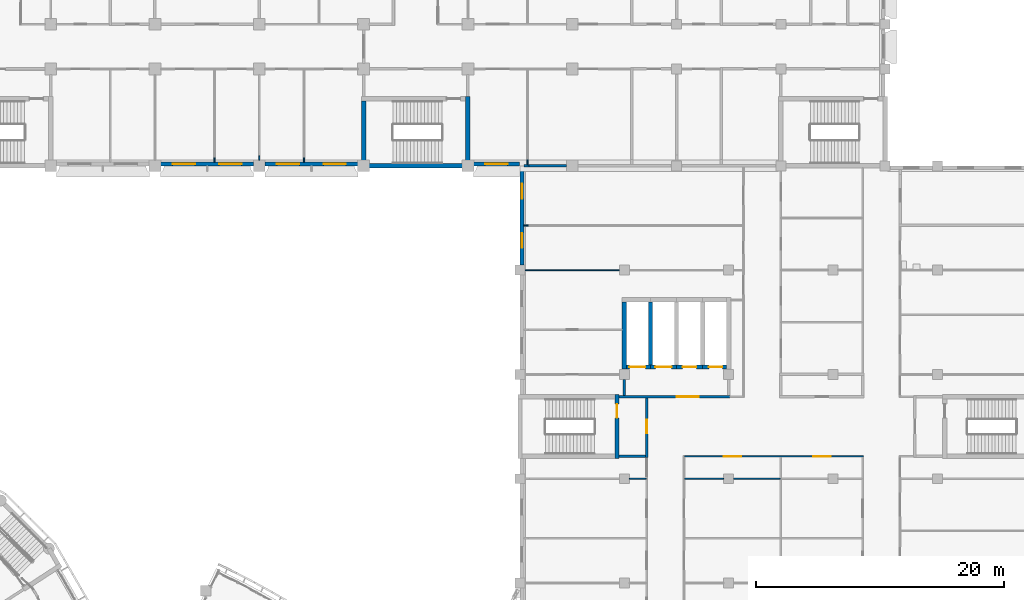
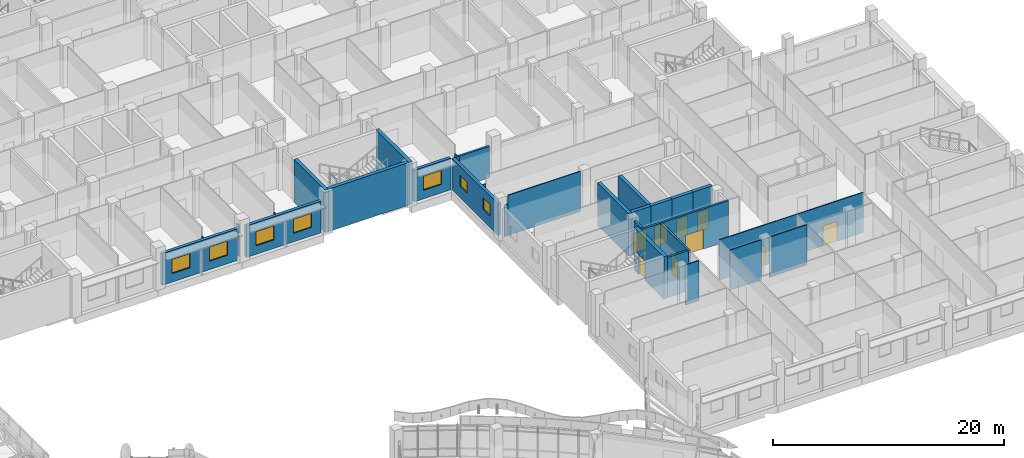
# One storey, part 83 of 136: 31 walls, 9 doors, 7 windows, 16 openings.
"""IFC4 building model written with IfcOpenShell, lengths in metres."""

import ifcopenshell
import ifcopenshell.guid

model = None  # the IFC model being written
_history = None  # IfcOwnerHistory: only IFC2X3 demands one
_inside = {}  # id of a spatial element -> (the spatial element, [elements in it])
_under = {}  # id of a project, library or spatial element -> (it, [spatial elements below it])
_declared = {}  # id of a project -> (the project, [libraries it declares])
_typed = {}  # id of a type object -> (the type object, [elements of that type])
_made_of = {}  # id of a material, layer set ... -> (it, [elements and type objects made of it])


def new_model(schema):
    """Start an empty IFC model of exactly this schema.

    Asked for "IFC4X3", IfcOpenShell would pick the latest addendum, in which some entities
    have other attributes; the version numbers below select the first issue.
    IFC2X3 requires an IfcOwnerHistory on every rooted entity: one is made here for all.
    """
    global model, _history
    if schema == "IFC4X3":
        model = ifcopenshell.file(schema_version=(4, 3, 0, 0))
    else:
        model = ifcopenshell.file(schema=schema)
    _inside.clear()
    _under.clear()
    _declared.clear()
    _typed.clear()
    _made_of.clear()
    _history = None
    if model.schema == "IFC2X3":
        org = make("IfcOrganization", Name="unknown")
        user = make(
            "IfcPersonAndOrganization",
            ThePerson=make("IfcPerson", FamilyName="unknown"),
            TheOrganization=org,
        )
        app = make(
            "IfcApplication",
            ApplicationDeveloper=org,
            Version="unknown",
            ApplicationFullName="unknown",
            ApplicationIdentifier="unknown",
        )
        _history = make(
            "IfcOwnerHistory",
            OwningUser=user,
            OwningApplication=app,
            ChangeAction="ADDED",
            CreationDate=0,
        )
    return model


def make(cls, **values):
    """One entity of the class cls with the attributes given. An attribute that is None is left unset."""
    return model.create_entity(
        cls, **{name: value for name, value in values.items() if value is not None}
    )


def rooted(cls, **values):
    """An entity with a GlobalId (a new one), such as an element, a storey or a relation."""
    return make(cls, GlobalId=ifcopenshell.guid.new(), OwnerHistory=_history, **values)


def si_unit(unit_type, name, prefix=None):
    """IfcSIUnit, for example si_unit("LENGTHUNIT", "METRE", prefix="MILLI")."""
    return make("IfcSIUnit", UnitType=unit_type, Prefix=prefix, Name=name)


def assignment(units):
    """IfcUnitAssignment: the units of a project."""
    return None if units is None else make("IfcUnitAssignment", Units=units)


def point(xyz):
    """IfcCartesianPoint."""
    return None if xyz is None else make("IfcCartesianPoint", Coordinates=xyz)


def direction(xyz):
    """IfcDirection."""
    return None if xyz is None else make("IfcDirection", DirectionRatios=xyz)


def frame(location, z_axis=None, x_axis=None):
    """IfcAxis2Placement3D, a coordinate frame: its origin and axes. An axis left out is left unset."""
    return make(
        "IfcAxis2Placement3D",
        Location=point(location),
        Axis=direction(z_axis),
        RefDirection=direction(x_axis),
    )


def frame_2d(location, x_axis=None):
    """IfcAxis2Placement2D, a coordinate frame in the plane: its origin and x axis."""
    return make(
        "IfcAxis2Placement2D", Location=point(location), RefDirection=direction(x_axis)
    )


def origin():
    """The frame at (0, 0, 0) with its axes left unset."""
    return frame((0.0, 0.0, 0.0))


def place(relative_to, where):
    """IfcLocalPlacement: puts the frame where relative to a parent placement (None: the world)."""
    return make(
        "IfcLocalPlacement", PlacementRelTo=relative_to, RelativePlacement=where
    )


def context(
    kind, dimensions, precision=None, world=None, true_north=None, identifier=None
):
    """IfcGeometricRepresentationContext, for example the 3D "Model" context."""
    return make(
        "IfcGeometricRepresentationContext",
        ContextIdentifier=identifier,
        ContextType=kind,
        CoordinateSpaceDimension=dimensions,
        Precision=precision,
        WorldCoordinateSystem=world,
        TrueNorth=true_north,
    )


def subcontext(parent, identifier, kind, view, scale=None):
    """IfcGeometricRepresentationSubContext, for example "Body" below "Model"."""
    return make(
        "IfcGeometricRepresentationSubContext",
        ContextIdentifier=identifier,
        ContextType=kind,
        ParentContext=parent,
        TargetScale=scale,
        TargetView=view,
    )


def project(units=None, contexts=None):
    """IfcProject with its units and contexts."""
    return rooted(
        "IfcProject",
        Name="project",
        RepresentationContexts=contexts,
        UnitsInContext=assignment(units),
    )


def spatial(cls, under=None, at=None, **own):
    """A site, building, storey or space (cls), placed at a placement, below another one or the project."""
    s = rooted(cls, ObjectPlacement=at, **own)
    if under is not None:
        _under.setdefault(under.id(), (under, []))[1].append(s)
    return s


def profile(cls, at=None, kind="AREA", **sizes):
    """A parametric profile (cls). Its sizes go by their IFC names, for example OverallWidth=200.0."""
    return make(cls, ProfileType=kind, Position=at, **sizes)


def rectangle(**sizes):
    """IfcRectangleProfileDef."""
    return profile("IfcRectangleProfileDef", **sizes)


def extrude(swept, where, along, depth):
    """IfcExtrudedAreaSolid: the profile swept, set in the frame where, extruded along a direction by depth."""
    return make(
        "IfcExtrudedAreaSolid",
        SweptArea=swept,
        Position=where,
        ExtrudedDirection=direction(along),
        Depth=depth,
    )


def shape(context_of_items, identifier, shape_type, items):
    """IfcShapeRepresentation: the items that make up one representation, for example the "Body"."""
    return make(
        "IfcShapeRepresentation",
        ContextOfItems=context_of_items,
        RepresentationIdentifier=identifier,
        RepresentationType=shape_type,
        Items=items,
    )


def material(Name=None, Category=None):
    """IfcMaterial."""
    return make("IfcMaterial", Name=Name, Category=Category)


def layer(
    of_material, thickness, ventilated=None, Name=None, Category=None, Priority=None
):
    """IfcMaterialLayer: one layer of a wall or slab, of a material (None: an air gap)."""
    return make(
        "IfcMaterialLayer",
        Material=of_material,
        LayerThickness=thickness,
        IsVentilated=ventilated,
        Name=Name,
        Category=Category,
        Priority=Priority,
    )


def layer_set(layers, Name=None):
    """IfcMaterialLayerSet."""
    return make("IfcMaterialLayerSet", MaterialLayers=layers, LayerSetName=Name)


def made_of(thing, what):
    """Note that an element or type object is made of a material, layer set ...; save() writes the relation."""
    if what is not None:
        _made_of.setdefault(what.id(), (what, []))[1].append(thing)
    return thing


def type_object(cls, material=None, **own):
    """A type object (cls), such as IfcWallType, which elements share."""
    return made_of(rooted(cls, **own), material)


def element(
    cls,
    number,
    at=None,
    inside=None,
    cuts=None,
    type_object=None,
    material=None,
    context=None,
    identifier="Body",
    shape_type=None,
    held_by="IfcProductDefinitionShape",
    body=None,
    shapes=None,
    **own,
):
    """One element of the class cls, such as IfcWall. Its Tag is "e" and its number.

    at: its placement. inside: the storey or other place that contains it. cuts: it is an
    opening in that element (IfcRelVoidsElement). A single representation is given by context,
    identifier, shape_type and body (its items); several are given by shapes. held_by: the class
    of the entity that holds the representations. save() writes the other relations.
    """
    e = rooted(cls, Tag="e%d" % number, ObjectPlacement=at, **own)
    if body is not None:
        shapes = [shape(context, identifier, shape_type, body)]
    if shapes is not None:
        e.Representation = make(held_by, Representations=shapes)
    if inside is not None:
        _inside.setdefault(inside.id(), (inside, []))[1].append(e)
    if cuts is not None:
        rooted(
            "IfcRelVoidsElement", RelatingBuildingElement=cuts, RelatedOpeningElement=e
        )
    if type_object is not None:
        _typed.setdefault(type_object.id(), (type_object, []))[1].append(e)
    return made_of(e, material)


def fill(opening, filler):
    """IfcRelFillsElement: the door or window that sits in an opening."""
    return rooted(
        "IfcRelFillsElement",
        RelatingOpeningElement=opening,
        RelatedBuildingElement=filler,
    )


def aggregate(whole, parts):
    """IfcRelAggregates: a whole, such as a stair, and the parts it consists of."""
    return rooted("IfcRelAggregates", RelatingObject=whole, RelatedObjects=parts)


def save(model, path):
    """Write the relations noted so far, then the file.

    IfcRelAggregates (storeys below a building ...), IfcRelContainedInSpatialStructure (elements
    in a storey), IfcRelDefinesByType, IfcRelAssociatesMaterial and IfcRelDeclares: one each for
    every whole, place, type object, material and project.
    """
    for whole, parts in _under.values():
        aggregate(whole, parts)
    for where, things in _inside.values():
        rooted(
            "IfcRelContainedInSpatialStructure",
            RelatedElements=things,
            RelatingStructure=where,
        )
    for kind, things in _typed.values():
        rooted("IfcRelDefinesByType", RelatedObjects=things, RelatingType=kind)
    for what, things in _made_of.values():
        rooted("IfcRelAssociatesMaterial", RelatedObjects=things, RelatingMaterial=what)
    for by, libraries in _declared.values():
        rooted("IfcRelDeclares", RelatingContext=by, RelatedDefinitions=libraries)
    model.write(path)


model = new_model("IFC4")

# Units and contexts
model_context = context("Model", 3, precision=1e-05, world=origin(), true_north=direction((0.0, 1.0)))
body_context = subcontext(model_context, "Body", "Model", "MODEL_VIEW")
ifc_project = project(units=[si_unit("LENGTHUNIT", "METRE"), si_unit("AREAUNIT", "SQUARE_METRE"), si_unit("VOLUMEUNIT", "CUBIC_METRE"), si_unit("PLANEANGLEUNIT", "RADIAN"), si_unit("MASSUNIT", "GRAM", prefix="KILO")], contexts=[model_context])

# Site, building, storey
site_placement = place(None, origin())
site = spatial("IfcSite", under=ifc_project, at=site_placement, CompositionType="ELEMENT")
building_placement = place(site_placement, origin())
building = spatial("IfcBuilding", under=site, at=building_placement, Name="Bougainvillea Quay General Hospital", CompositionType="ELEMENT")
storey_placement = place(building_placement, frame((0.0, 0.0, 5.39990234375)))
storey = spatial("IfcBuildingStorey", under=building, at=storey_placement, Name="L01", CompositionType="ELEMENT", Elevation=5.39990234375)

# Wall, openings, windows
ifc_material_1 = material(Name="Pale stone rainscreen cladding on insulated masonry backing, pale stone", Category="masonry")
ifc_layer_1 = layer(ifc_material_1, 0.300048828125)
ifc_layer_set_1 = layer_set([ifc_layer_1], Name="Pale stone rainscreen cladding on insulated masonry backing, pale stone")
wall_type_1 = type_object("IfcWallType", Name="External wall pale stone rainscreen 300", PredefinedType="STANDARD", material=ifc_layer_set_1)
wall_1_placement = place(storey_placement, frame((163.949951171875, 117.5400390625, 0.0), z_axis=(0.0, 0.0, 1.0), x_axis=(0.0, -1.0, 0.0)))
wall_1 = element("IfcWall", 1, at=wall_1_placement, inside=storey, type_object=wall_type_1, Name="External wall wall/V3/L01/p0/00a", PredefinedType="STANDARD", context=body_context, shape_type="SweptSolid", body=[
    extrude(rectangle(XDim=7.93994140625, YDim=0.300048828125, at=frame_2d((3.969970703125, 0.0))), origin(), (0.0, 0.0, 1.0), 3.35009765625),
])
opening_1_placement = place(wall_1_placement, frame((1.385009765625, 0.0, 1.199951171875)))
opening_1 = element("IfcOpeningElement", 2, at=opening_1_placement, cuts=wall_1, Name="Opening W2", PredefinedType="OPENING", context=body_context, shape_type="SweptSolid", body=[
    extrude(rectangle(XDim=1.199951171875, YDim=1.199951171875, at=frame_2d((0.60009765625, 0.60009765625))), frame((0.0, 0.159912109375, 0.0), z_axis=(0.0, -1.0, 0.0), x_axis=(1.0, 0.0, 0.0)), (0.0, 0.0, 1.0), 0.320068359375),
])
opening_2_placement = place(wall_1_placement, frame((5.35498046875, 0.0, 1.199951171875)))
opening_2 = element("IfcOpeningElement", 3, at=opening_2_placement, cuts=wall_1, Name="Opening W2", PredefinedType="OPENING", context=body_context, shape_type="SweptSolid", body=[
    extrude(rectangle(XDim=1.199951171875, YDim=1.199951171875, at=frame_2d((0.60009765625, 0.60009765625))), frame((0.0, 0.159912109375, 0.0), z_axis=(0.0, -1.0, 0.0), x_axis=(1.0, 0.0, 0.0)), (0.0, 0.0, 1.0), 0.320068359375),
])
ifc_material_2 = material(Name="Aluminium window frame with low-e double glazed unit", Category="aluminium")
window_type_1 = type_object("IfcWindowType", Name="Window W2 1200x1200", PartitioningType="SINGLE_PANEL", PredefinedType="WINDOW", material=ifc_material_2)
window_1_placement = place(opening_1_placement, origin())
window_1 = element("IfcWindow", 4, at=window_1_placement, inside=storey, type_object=window_type_1, Name="Window W2 1", OverallHeight=1.199951171875, OverallWidth=1.199951171875, PartitioningType="SINGLE_PANEL", PredefinedType="WINDOW", context=body_context, shape_type="SweptSolid", body=[
    extrude(rectangle(XDim=1.199951171875, YDim=1.199951171875, at=frame_2d((0.60009765625, 0.60009765625))), frame((0.0, 0.030029296875, 0.0), z_axis=(0.0, -1.0, 0.0), x_axis=(1.0, 0.0, 0.0)), (0.0, 0.0, 1.0), 0.06005859375),
])
fill(opening_1, window_1)
window_2_placement = place(opening_2_placement, origin())
window_2 = element("IfcWindow", 5, at=window_2_placement, inside=storey, type_object=window_type_1, Name="Window W2 2", OverallHeight=1.199951171875, OverallWidth=1.199951171875, PartitioningType="SINGLE_PANEL", PredefinedType="WINDOW", context=body_context, shape_type="SweptSolid", body=[
    extrude(rectangle(XDim=1.199951171875, YDim=1.199951171875, at=frame_2d((0.60009765625, 0.60009765625))), frame((0.0, 0.030029296875, 0.0), z_axis=(0.0, -1.0, 0.0), x_axis=(1.0, 0.0, 0.0)), (0.0, 0.0, 1.0), 0.06005859375),
])
fill(opening_2, window_2)

wall_2_placement = place(storey_placement, frame((134.85009765625, 117.75, 0.0), z_axis=(0.0, 0.0, 1.0), x_axis=(1.0, 0.0, 0.0)))
wall_2 = element("IfcWall", 6, at=wall_2_placement, inside=storey, type_object=wall_type_1, Name="External wall wall/V4/L01/p1/04d", PredefinedType="STANDARD", context=body_context, shape_type="SweptSolid", body=[
    extrude(rectangle(XDim=7.5, YDim=0.300048828125, at=frame_2d((3.75, 0.0))), origin(), (0.0, 0.0, 1.0), 3.35009765625),
])
opening_3_placement = place(wall_2_placement, frame((0.97509765625, 0.0, 0.89990234375)))
opening_3 = element("IfcOpeningElement", 7, at=opening_3_placement, cuts=wall_2, Name="Opening W1", PredefinedType="OPENING", context=body_context, shape_type="SweptSolid", body=[
    extrude(rectangle(XDim=1.800048828125, YDim=1.5, at=frame_2d((0.89990234375, 0.75))), frame((0.0, 0.159912109375, 0.0), z_axis=(0.0, -1.0, 0.0), x_axis=(1.0, 0.0, 0.0)), (0.0, 0.0, 1.0), 0.320068359375),
])
opening_4_placement = place(wall_2_placement, frame((4.72509765625, 0.0, 0.89990234375)))
opening_4 = element("IfcOpeningElement", 8, at=opening_4_placement, cuts=wall_2, Name="Opening W1", PredefinedType="OPENING", context=body_context, shape_type="SweptSolid", body=[
    extrude(rectangle(XDim=1.800048828125, YDim=1.5, at=frame_2d((0.89990234375, 0.75))), frame((0.0, 0.159912109375, 0.0), z_axis=(0.0, -1.0, 0.0), x_axis=(1.0, 0.0, 0.0)), (0.0, 0.0, 1.0), 0.320068359375),
])
window_type_2 = type_object("IfcWindowType", Name="Window W1 1800x1500", PartitioningType="DOUBLE_PANEL_VERTICAL", PredefinedType="WINDOW", material=ifc_material_2)
window_3_placement = place(opening_3_placement, origin())
window_3 = element("IfcWindow", 9, at=window_3_placement, inside=storey, type_object=window_type_2, Name="Window W1 1", OverallHeight=1.5, OverallWidth=1.800048828125, PartitioningType="SINGLE_PANEL", PredefinedType="WINDOW", context=body_context, shape_type="SweptSolid", body=[
    extrude(rectangle(XDim=1.800048828125, YDim=1.5, at=frame_2d((0.89990234375, 0.75))), frame((0.0, 0.030029296875, 0.0), z_axis=(0.0, -1.0, 0.0), x_axis=(1.0, 0.0, 0.0)), (0.0, 0.0, 1.0), 0.06005859375),
])
fill(opening_3, window_3)
window_4_placement = place(opening_4_placement, origin())
window_4 = element("IfcWindow", 10, at=window_4_placement, inside=storey, type_object=window_type_2, Name="Window W1 2", OverallHeight=1.5, OverallWidth=1.800048828125, PartitioningType="SINGLE_PANEL", PredefinedType="WINDOW", context=body_context, shape_type="SweptSolid", body=[
    extrude(rectangle(XDim=1.800048828125, YDim=1.5, at=frame_2d((0.89990234375, 0.75))), frame((0.0, 0.030029296875, 0.0), z_axis=(0.0, -1.0, 0.0), x_axis=(1.0, 0.0, 0.0)), (0.0, 0.0, 1.0), 0.06005859375),
])
fill(opening_4, window_4)

wall_3_placement = place(storey_placement, frame((143.25, 117.75, 0.0), z_axis=(0.0, 0.0, 1.0), x_axis=(1.0, 0.0, 0.0)))
wall_3 = element("IfcWall", 11, at=wall_3_placement, inside=storey, type_object=wall_type_1, Name="External wall wall/V4/L01/p1/04e", PredefinedType="STANDARD", context=body_context, shape_type="SweptSolid", body=[
    extrude(rectangle(XDim=7.5, YDim=0.300048828125, at=frame_2d((3.75, 0.0))), origin(), (0.0, 0.0, 1.0), 3.35009765625),
])
opening_5_placement = place(wall_3_placement, frame((0.97509765625, 0.0, 0.89990234375)))
opening_5 = element("IfcOpeningElement", 12, at=opening_5_placement, cuts=wall_3, Name="Opening W1", PredefinedType="OPENING", context=body_context, shape_type="SweptSolid", body=[
    extrude(rectangle(XDim=1.800048828125, YDim=1.5, at=frame_2d((0.89990234375, 0.75))), frame((0.0, 0.159912109375, 0.0), z_axis=(0.0, -1.0, 0.0), x_axis=(1.0, 0.0, 0.0)), (0.0, 0.0, 1.0), 0.320068359375),
])
opening_6_placement = place(wall_3_placement, frame((4.72509765625, 0.0, 0.89990234375)))
opening_6 = element("IfcOpeningElement", 13, at=opening_6_placement, cuts=wall_3, Name="Opening W1", PredefinedType="OPENING", context=body_context, shape_type="SweptSolid", body=[
    extrude(rectangle(XDim=1.800048828125, YDim=1.5, at=frame_2d((0.89990234375, 0.75))), frame((0.0, 0.159912109375, 0.0), z_axis=(0.0, -1.0, 0.0), x_axis=(1.0, 0.0, 0.0)), (0.0, 0.0, 1.0), 0.320068359375),
])
window_5_placement = place(opening_5_placement, origin())
window_5 = element("IfcWindow", 14, at=window_5_placement, inside=storey, type_object=window_type_2, Name="Window W1 1", OverallHeight=1.5, OverallWidth=1.800048828125, PartitioningType="SINGLE_PANEL", PredefinedType="WINDOW", context=body_context, shape_type="SweptSolid", body=[
    extrude(rectangle(XDim=1.800048828125, YDim=1.5, at=frame_2d((0.89990234375, 0.75))), frame((0.0, 0.030029296875, 0.0), z_axis=(0.0, -1.0, 0.0), x_axis=(1.0, 0.0, 0.0)), (0.0, 0.0, 1.0), 0.06005859375),
])
fill(opening_5, window_5)
window_6_placement = place(opening_6_placement, origin())
window_6 = element("IfcWindow", 15, at=window_6_placement, inside=storey, type_object=window_type_2, Name="Window W1 2", OverallHeight=1.5, OverallWidth=1.800048828125, PartitioningType="SINGLE_PANEL", PredefinedType="WINDOW", context=body_context, shape_type="SweptSolid", body=[
    extrude(rectangle(XDim=1.800048828125, YDim=1.5, at=frame_2d((0.89990234375, 0.75))), frame((0.0, 0.030029296875, 0.0), z_axis=(0.0, -1.0, 0.0), x_axis=(1.0, 0.0, 0.0)), (0.0, 0.0, 1.0), 0.06005859375),
])
fill(opening_6, window_6)

# Wall, opening, window
wall_4_placement = place(storey_placement, frame((160.050048828125, 117.75, 0.0), z_axis=(0.0, 0.0, 1.0), x_axis=(1.0, 0.0, 0.0)))
wall_4 = element("IfcWall", 16, at=wall_4_placement, inside=storey, type_object=wall_type_1, Name="External wall wall/V4/L01/p1/04f", PredefinedType="STANDARD", context=body_context, shape_type="SweptSolid", body=[
    extrude(rectangle(XDim=3.68994140625, YDim=0.300048828125, at=frame_2d((1.844970703125, 0.0))), origin(), (0.0, 0.0, 1.0), 3.35009765625),
])
opening_7_placement = place(wall_4_placement, frame((0.945068359375, 0.0, 0.89990234375)))
opening_7 = element("IfcOpeningElement", 17, at=opening_7_placement, cuts=wall_4, Name="Opening W1", PredefinedType="OPENING", context=body_context, shape_type="SweptSolid", body=[
    extrude(rectangle(XDim=1.800048828125, YDim=1.5, at=frame_2d((0.89990234375, 0.75))), frame((0.0, 0.159912109375, 0.0), z_axis=(0.0, -1.0, 0.0), x_axis=(1.0, 0.0, 0.0)), (0.0, 0.0, 1.0), 0.320068359375),
])
window_7_placement = place(opening_7_placement, origin())
window_7 = element("IfcWindow", 18, at=window_7_placement, inside=storey, type_object=window_type_2, Name="Window W1 1", OverallHeight=1.5, OverallWidth=1.800048828125, PartitioningType="SINGLE_PANEL", PredefinedType="WINDOW", context=body_context, shape_type="SweptSolid", body=[
    extrude(rectangle(XDim=1.800048828125, YDim=1.5, at=frame_2d((0.89990234375, 0.75))), frame((0.0, 0.030029296875, 0.0), z_axis=(0.0, -1.0, 0.0), x_axis=(1.0, 0.0, 0.0)), (0.0, 0.0, 1.0), 0.06005859375),
])
fill(opening_7, window_7)

# Wall, openings, doors
ifc_material_3 = material(Name="Gypsum board partition on steel studs", Category="steel")
ifc_layer_2 = layer(ifc_material_3, 0.10009765625)
ifc_layer_set_2 = layer_set([ifc_layer_2], Name="Gypsum board partition on steel studs")
wall_type_2 = type_object("IfcWallType", Name="Partition 100 Gypsum board partition", PredefinedType="PARTITIONING", material=ifc_layer_set_2)
wall_5_placement = place(storey_placement, frame((177.050048828125, 94.199951171875, 0.0), z_axis=(0.0, 0.0, 1.0), x_axis=(1.0, 0.0, 0.0)))
wall_5 = element("IfcWall", 19, at=wall_5_placement, inside=storey, type_object=wall_type_2, Name="Partition 100 mm", PredefinedType="PARTITIONING", context=body_context, shape_type="SweptSolid", body=[
    extrude(rectangle(XDim=14.39990234375, YDim=0.10009765625, at=frame_2d((7.199951171875, 0.0))), origin(), (0.0, 0.0, 1.0), 4.25),
])
opening_8_placement = place(wall_5_placement, frame((3.14990234375, 0.0, 0.0)))
opening_8 = element("IfcOpeningElement", 20, at=opening_8_placement, cuts=wall_5, Name="Opening L01.102", PredefinedType="OPENING", context=body_context, shape_type="SweptSolid", body=[
    extrude(rectangle(XDim=1.39990234375, YDim=2.10009765625, at=frame_2d((0.699951171875, 1.050048828125))), frame((0.0, 0.06005859375, 0.0), z_axis=(0.0, -1.0, 0.0), x_axis=(1.0, 0.0, 0.0)), (0.0, 0.0, 1.0), 0.1201171875),
])
opening_9_placement = place(wall_5_placement, frame((10.35009765625, 0.0, 0.0)))
opening_9 = element("IfcOpeningElement", 21, at=opening_9_placement, cuts=wall_5, Name="Opening L01.107", PredefinedType="OPENING", context=body_context, shape_type="SweptSolid", body=[
    extrude(rectangle(XDim=1.39990234375, YDim=2.10009765625, at=frame_2d((0.699951171875, 1.050048828125))), frame((0.0, 0.06005859375, 0.0), z_axis=(0.0, -1.0, 0.0), x_axis=(1.0, 0.0, 0.0)), (0.0, 0.0, 1.0), 0.1201171875),
])
ifc_material_4 = material(Name="Solid-core timber door leaves in steel frame", Category="steel")
door_type_1 = type_object("IfcDoorType", Name="Bed door pair 1400x2100", OperationType="DOUBLE_DOOR_SINGLE_SWING", PredefinedType="DOOR", material=ifc_material_4)
door_1_placement = place(opening_8_placement, frame((1.39990234375, 0.0, 0.0), z_axis=(0.0, 0.0, 1.0), x_axis=(-1.0, 0.0, 0.0)))
door_1 = element("IfcDoor", 22, at=door_1_placement, inside=storey, type_object=door_type_1, Name="DT09 L01.102", OperationType="DOUBLE_DOOR_SINGLE_SWING", OverallHeight=2.10009765625, OverallWidth=1.39990234375, PredefinedType="DOOR", context=body_context, shape_type="SweptSolid", body=[
    extrude(rectangle(XDim=1.39990234375, YDim=2.10009765625, at=frame_2d((0.699951171875, 1.050048828125))), frame((0.0, 0.02490234375, 0.0), z_axis=(0.0, -1.0, 0.0), x_axis=(1.0, 0.0, 0.0)), (0.0, 0.0, 1.0), 0.050048828125),
])
fill(opening_8, door_1)
door_2_placement = place(opening_9_placement, frame((1.39990234375, 0.0, 0.0), z_axis=(0.0, 0.0, 1.0), x_axis=(-1.0, 0.0, 0.0)))
door_2 = element("IfcDoor", 23, at=door_2_placement, inside=storey, type_object=door_type_1, Name="DT09 L01.107", OperationType="DOUBLE_DOOR_SINGLE_SWING", OverallHeight=2.10009765625, OverallWidth=1.39990234375, PredefinedType="DOOR", context=body_context, shape_type="SweptSolid", body=[
    extrude(rectangle(XDim=1.39990234375, YDim=2.10009765625, at=frame_2d((0.699951171875, 1.050048828125))), frame((0.0, 0.02490234375, 0.0), z_axis=(0.0, -1.0, 0.0), x_axis=(1.0, 0.0, 0.0)), (0.0, 0.0, 1.0), 0.050048828125),
])
fill(opening_9, door_2)

# Walls
wall_6_placement = place(storey_placement, frame((164.199951171875, 109.197998046875, 0.0), z_axis=(0.0, 0.0, 1.0), x_axis=(1.0, 0.0, 0.0)))
element("IfcWall", 24, at=wall_6_placement, inside=storey, type_object=wall_type_2, Name="Partition 100 mm", PredefinedType="PARTITIONING", context=body_context, shape_type="SweptSolid", body=[
    extrude(rectangle(XDim=0.35009765625, YDim=0.10009765625, at=frame_2d((0.175048828125, 0.0))), origin(), (0.0, 0.0, 1.0), 3.330078125),
])
wall_7_placement = place(storey_placement, frame((164.550048828125, 109.197998046875, 0.0), z_axis=(0.0, 0.0, 1.0), x_axis=(1.0, 0.0, 0.0)))
element("IfcWall", 25, at=wall_7_placement, inside=storey, type_object=wall_type_2, Name="Partition 100 mm", PredefinedType="PARTITIONING", context=body_context, shape_type="SweptSolid", body=[
    extrude(rectangle(XDim=7.25, YDim=0.10009765625, at=frame_2d((3.625, 0.0))), origin(), (0.0, 0.0, 1.0), 4.25),
])
wall_8_placement = place(storey_placement, frame((164.10009765625, 112.798095703125, 0.0), z_axis=(0.0, 0.0, 1.0), x_axis=(1.0, 0.0, 0.0)))
element("IfcWall", 26, at=wall_8_placement, inside=storey, type_object=wall_type_2, Name="Partition 100 mm", PredefinedType="PARTITIONING", context=body_context, shape_type="SweptSolid", body=[
    extrude(rectangle(XDim=0.349853515625, YDim=0.10009765625, at=frame_2d((0.1748046875, 0.0))), origin(), (0.0, 0.0, 1.0), 3.330078125),
])
wall_9_placement = place(storey_placement, frame((177.050048828125, 92.39990234375, 0.0), z_axis=(0.0, 0.0, 1.0), x_axis=(1.0, 0.0, 0.0)))
element("IfcWall", 27, at=wall_9_placement, inside=storey, type_object=wall_type_2, Name="Partition 100 mm", PredefinedType="PARTITIONING", context=body_context, shape_type="SweptSolid", body=[
    extrude(rectangle(XDim=3.14990234375, YDim=0.10009765625, at=frame_2d((1.574951171875, 0.0))), origin(), (0.0, 0.0, 1.0), 4.25),
])
wall_10_placement = place(storey_placement, frame((181.0, 92.39990234375, 0.0), z_axis=(0.0, 0.0, 1.0), x_axis=(1.0, 0.0, 0.0)))
element("IfcWall", 28, at=wall_10_placement, inside=storey, type_object=wall_type_2, Name="Partition 100 mm", PredefinedType="PARTITIONING", context=body_context, shape_type="SweptSolid", body=[
    extrude(rectangle(XDim=3.75, YDim=0.10009765625, at=frame_2d((1.875, 0.0))), origin(), (0.0, 0.0, 1.0), 4.25),
])
wall_11_placement = place(storey_placement, frame((172.60009765625, 92.39990234375, 0.0), z_axis=(0.0, 0.0, 1.0), x_axis=(1.0, 0.0, 0.0)))
element("IfcWall", 29, at=wall_11_placement, inside=storey, type_object=wall_type_2, Name="Partition 100 mm", PredefinedType="PARTITIONING", context=body_context, shape_type="SweptSolid", body=[
    extrude(rectangle(XDim=1.349853515625, YDim=0.10009765625, at=frame_2d((0.6748046875, 0.0))), origin(), (0.0, 0.0, 1.0), 4.25),
])
wall_12_placement = place(storey_placement, frame((139.199951171875, 117.89990234375, 0.0), z_axis=(0.0, 0.0, 1.0), x_axis=(0.0, 1.0, 0.0)))
element("IfcWall", 30, at=wall_12_placement, inside=storey, type_object=wall_type_2, Name="Partition 100 mm", PredefinedType="PARTITIONING", context=body_context, shape_type="SweptSolid", body=[
    extrude(rectangle(XDim=0.35009765625, YDim=0.10009765625, at=frame_2d((0.175048828125, 0.0))), origin(), (0.0, 0.0, 1.0), 3.330078125),
])
wall_13_placement = place(storey_placement, frame((142.800048828125, 118.050048828125, 0.0), z_axis=(0.0, 0.0, 1.0), x_axis=(0.0, 1.0, 0.0)))
element("IfcWall", 31, at=wall_13_placement, inside=storey, type_object=wall_type_2, Name="Partition 100 mm", PredefinedType="PARTITIONING", context=body_context, shape_type="SweptSolid", body=[
    extrude(rectangle(XDim=0.349853515625, YDim=0.10009765625, at=frame_2d((0.1748046875, 0.0))), origin(), (0.0, 0.0, 1.0), 3.330078125),
])
wall_14_placement = place(storey_placement, frame((146.39990234375, 117.89990234375, 0.0), z_axis=(0.0, 0.0, 1.0), x_axis=(0.0, 1.0, 0.0)))
element("IfcWall", 32, at=wall_14_placement, inside=storey, type_object=wall_type_2, Name="Partition 100 mm", PredefinedType="PARTITIONING", context=body_context, shape_type="SweptSolid", body=[
    extrude(rectangle(XDim=0.35009765625, YDim=0.10009765625, at=frame_2d((0.175048828125, 0.0))), origin(), (0.0, 0.0, 1.0), 3.330078125),
])
wall_15_placement = place(storey_placement, frame((164.39990234375, 117.699951171875, 0.0), z_axis=(0.0, 0.0, 1.0), x_axis=(0.0, 1.0, 0.0)))
element("IfcWall", 33, at=wall_15_placement, inside=storey, type_object=wall_type_2, Name="Partition 100 mm", PredefinedType="PARTITIONING", context=body_context, shape_type="SweptSolid", body=[
    extrude(rectangle(XDim=0.400146484375, YDim=0.10009765625, at=frame_2d((0.2001953125, 0.0))), origin(), (0.0, 0.0, 1.0), 3.330078125),
])
ifc_material_5 = material(Name="Fire-rated autoclaved aerated block wall, plastered")
ifc_layer_3 = layer(ifc_material_5, 0.199951171875)
ifc_layer_set_3 = layer_set([ifc_layer_3], Name="Fire-rated autoclaved aerated block wall, plastered")
wall_type_3 = type_object("IfcWallType", Name="Partition 200 Fire-rated autoclaved aerated block wall EI 120", PredefinedType="SOLIDWALL", material=ifc_layer_set_3)
wall_16_placement = place(storey_placement, frame((167.550048828125, 117.60009765625, 0.0), z_axis=(0.0, 0.0, 1.0), x_axis=(-1.0, 0.0, 0.0)))
element("IfcWall", 34, at=wall_16_placement, inside=storey, type_object=wall_type_3, Name="Partition 200 mm EI 120", PredefinedType="SOLIDWALL", context=body_context, shape_type="SweptSolid", body=[
    extrude(rectangle(XDim=3.050048828125, YDim=0.199951171875, at=frame_2d((1.52490234375, 0.0))), origin(), (0.0, 0.0, 1.0), 3.330078125),
])
wall_17_placement = place(storey_placement, frame((164.5, 117.60009765625, 0.0), z_axis=(0.0, 0.0, 1.0), x_axis=(-1.0, 0.0, 0.0)))
element("IfcWall", 35, at=wall_17_placement, inside=storey, type_object=wall_type_3, Name="Partition 200 mm EI 120", PredefinedType="SOLIDWALL", context=body_context, shape_type="SweptSolid", body=[
    extrude(rectangle(XDim=0.39990234375, YDim=0.199951171875, at=frame_2d((0.199951171875, 0.0))), origin(), (0.0, 0.0, 1.0), 3.330078125),
])

# Wall, opening, door
wall_18_placement = place(storey_placement, frame((180.699951171875, 99.0, 0.0), z_axis=(0.0, 0.0, 1.0), x_axis=(-1.0, 0.0, 0.0)))
wall_18 = element("IfcWall", 36, at=wall_18_placement, inside=storey, type_object=wall_type_3, Name="Partition 200 mm EI 120", PredefinedType="SOLIDWALL", context=body_context, shape_type="SweptSolid", body=[
    extrude(rectangle(XDim=8.925048828125, YDim=0.199951171875, at=frame_2d((4.46240234375, 0.0))), origin(), (0.0, 0.0, 1.0), 4.25),
])
opening_10_placement = place(wall_18_placement, frame((2.5, 0.0, 0.0)))
opening_10 = element("IfcOpeningElement", 37, at=opening_10_placement, cuts=wall_18, Name="Opening L01.059", PredefinedType="OPENING", context=body_context, shape_type="SweptSolid", body=[
    extrude(rectangle(XDim=1.800048828125, YDim=2.10009765625, at=frame_2d((0.89990234375, 1.050048828125))), frame((0.0, 0.10986328125, 0.0), z_axis=(0.0, -1.0, 0.0), x_axis=(1.0, 0.0, 0.0)), (0.0, 0.0, 1.0), 0.219970703125),
])
ifc_material_6 = material(Name="Steel fire door leaves in steel frame", Category="steel")
door_type_2 = type_object("IfcDoorType", Name="Steel double leaf door 1800x2100 FD60", OperationType="DOUBLE_DOOR_SINGLE_SWING", PredefinedType="DOOR", material=ifc_material_6)
door_3_placement = place(opening_10_placement, frame((1.800048828125, 0.0, 0.0), z_axis=(0.0, 0.0, 1.0), x_axis=(-1.0, 0.0, 0.0)))
door_3 = element("IfcDoor", 38, at=door_3_placement, inside=storey, type_object=door_type_2, Name="DT05 L01.059", OperationType="DOUBLE_DOOR_SINGLE_SWING", OverallHeight=2.10009765625, OverallWidth=1.800048828125, PredefinedType="DOOR", context=body_context, shape_type="SweptSolid", body=[
    extrude(rectangle(XDim=1.800048828125, YDim=2.10009765625, at=frame_2d((0.89990234375, 1.050048828125))), frame((0.0, 0.02490234375, 0.0), z_axis=(0.0, -1.0, 0.0), x_axis=(1.0, 0.0, 0.0)), (0.0, 0.0, 1.0), 0.050048828125),
])
fill(opening_10, door_3)

wall_19_placement = place(storey_placement, frame((174.0, 94.10009765625, 0.0), z_axis=(0.0, 0.0, 1.0), x_axis=(0.0, 1.0, 0.0)))
wall_19 = element("IfcWall", 39, at=wall_19_placement, inside=storey, type_object=wall_type_3, Name="Partition 200 mm EI 120", PredefinedType="SOLIDWALL", context=body_context, shape_type="SweptSolid", body=[
    extrude(rectangle(XDim=4.7998046875, YDim=0.199951171875, at=frame_2d((2.39990234375, 0.0))), origin(), (0.0, 0.0, 1.0), 4.25),
])
opening_11_placement = place(wall_19_placement, frame((1.949951171875, 0.0, 0.0)))
opening_11 = element("IfcOpeningElement", 40, at=opening_11_placement, cuts=wall_19, Name="Opening L01.057", PredefinedType="OPENING", context=body_context, shape_type="SweptSolid", body=[
    extrude(rectangle(XDim=1.10009765625, YDim=2.10009765625, at=frame_2d((0.550048828125, 1.050048828125))), frame((0.0, 0.10986328125, 0.0), z_axis=(0.0, -1.0, 0.0), x_axis=(1.0, 0.0, 0.0)), (0.0, 0.0, 1.0), 0.219970703125),
])
ifc_material_7 = material(Name="Steel fire door leaf in steel frame", Category="steel")
door_type_3 = type_object("IfcDoorType", Name="Steel single leaf door 1100x2100 FD60", OperationType="NOTDEFINED", PredefinedType="DOOR", material=ifc_material_7)
door_4_placement = place(opening_11_placement, origin())
door_4 = element("IfcDoor", 41, at=door_4_placement, inside=storey, type_object=door_type_3, Name="DT04 L01.057", OperationType="SINGLE_SWING_RIGHT", OverallHeight=2.10009765625, OverallWidth=1.10009765625, PredefinedType="DOOR", context=body_context, shape_type="SweptSolid", body=[
    extrude(rectangle(XDim=1.10009765625, YDim=2.10009765625, at=frame_2d((0.550048828125, 1.050048828125))), frame((0.0, 0.02490234375, 0.0), z_axis=(0.0, -1.0, 0.0), x_axis=(1.0, 0.0, 0.0)), (0.0, 0.0, 1.0), 0.050048828125),
])
fill(opening_11, door_4)

# Walls
wall_20_placement = place(storey_placement, frame((171.77490234375, 94.199951171875, 0.0), z_axis=(0.0, 0.0, 1.0), x_axis=(1.0, 0.0, 0.0)))
element("IfcWall", 42, at=wall_20_placement, inside=storey, type_object=wall_type_3, Name="Partition 200 mm EI 120", PredefinedType="SOLIDWALL", context=body_context, shape_type="SweptSolid", body=[
    extrude(rectangle(XDim=2.125, YDim=0.199951171875, at=frame_2d((1.0625, 0.0))), origin(), (0.0, 0.0, 1.0), 4.25),
])
wall_21_placement = place(storey_placement, frame((172.199951171875, 99.10009765625, 0.0), z_axis=(0.0, 0.0, 1.0), x_axis=(0.0, 1.0, 0.0)))
element("IfcWall", 43, at=wall_21_placement, inside=storey, type_object=wall_type_3, Name="Partition 200 mm EI 120", PredefinedType="SOLIDWALL", context=body_context, shape_type="SweptSolid", body=[
    extrude(rectangle(XDim=1.2998046875, YDim=0.199951171875, at=frame_2d((0.64990234375, 0.0))), origin(), (0.0, 0.0, 1.0), 4.25),
])
ifc_material_8 = material(Name="Concrete C40", Category="concrete")
ifc_layer_4 = layer(ifc_material_8, 0.35009765625)
ifc_layer_set_4 = layer_set([ifc_layer_4], Name="Concrete C40")
wall_type_4 = type_object("IfcWallType", Name="RC SHEAR WALL 350 C40", PredefinedType="SHEAR", material=ifc_layer_set_4)
wall_22_placement = place(storey_placement, frame((151.199951171875, 117.425048828125, 0.0), z_axis=(0.0, 0.0, 1.0), x_axis=(0.0, 1.0, 0.0)))
element("IfcWall", 44, at=wall_22_placement, inside=storey, type_object=wall_type_4, Name="Shear wall L01", PredefinedType="SHEAR", context=body_context, shape_type="SweptSolid", body=[
    extrude(rectangle(XDim=5.39990234375, YDim=0.35009765625, at=frame_2d((2.699951171875, 0.0))), origin(), (0.0, 0.0, 1.0), 4.5),
])
wall_23_placement = place(storey_placement, frame((151.375, 117.60009765625, 0.0), z_axis=(0.0, 0.0, 1.0), x_axis=(1.0, 0.0, 0.0)))
element("IfcWall", 45, at=wall_23_placement, inside=storey, type_object=wall_type_4, Name="Shear wall L01", PredefinedType="SHEAR", context=body_context, shape_type="SweptSolid", body=[
    extrude(rectangle(XDim=8.050048828125, YDim=0.35009765625, at=frame_2d((4.02490234375, 0.0))), origin(), (0.0, 0.0, 1.0), 4.5),
])
wall_24_placement = place(storey_placement, frame((159.60009765625, 117.425048828125, 0.0), z_axis=(0.0, 0.0, 1.0), x_axis=(0.0, 1.0, 0.0)))
element("IfcWall", 46, at=wall_24_placement, inside=storey, type_object=wall_type_4, Name="Shear wall L01", PredefinedType="SHEAR", context=body_context, shape_type="SweptSolid", body=[
    extrude(rectangle(XDim=5.75, YDim=0.35009765625, at=frame_2d((2.875, 0.0))), origin(), (0.0, 0.0, 1.0), 4.5),
])

# Wall, opening, door
wall_25_placement = place(storey_placement, frame((171.60009765625, 94.02490234375, 0.0), z_axis=(0.0, 0.0, 1.0), x_axis=(0.0, 1.0, 0.0)))
wall_25 = element("IfcWall", 47, at=wall_25_placement, inside=storey, type_object=wall_type_4, Name="Shear wall L01", PredefinedType="SHEAR", context=body_context, shape_type="SweptSolid", body=[
    extrude(rectangle(XDim=5.150146484375, YDim=0.35009765625, at=frame_2d((2.5751953125, 0.0))), origin(), (0.0, 0.0, 1.0), 4.5),
])
opening_12_placement = place(wall_25_placement, frame((3.27490234375, 0.0, 0.0)))
opening_12 = element("IfcOpeningElement", 48, at=opening_12_placement, cuts=wall_25, Name="Opening L01.033", PredefinedType="OPENING", context=body_context, shape_type="SweptSolid", body=[
    extrude(rectangle(XDim=1.10009765625, YDim=2.10009765625, at=frame_2d((0.550048828125, 1.050048828125))), frame((0.0, 0.18505859375, 0.0), z_axis=(0.0, -1.0, 0.0), x_axis=(1.0, 0.0, 0.0)), (0.0, 0.0, 1.0), 0.3701171875),
])
door_5_placement = place(opening_12_placement, origin())
door_5 = element("IfcDoor", 49, at=door_5_placement, inside=storey, type_object=door_type_3, Name="DT04 L01.033", OperationType="SINGLE_SWING_RIGHT", OverallHeight=2.10009765625, OverallWidth=1.10009765625, PredefinedType="DOOR", context=body_context, shape_type="SweptSolid", body=[
    extrude(rectangle(XDim=1.10009765625, YDim=2.10009765625, at=frame_2d((0.550048828125, 1.050048828125))), frame((0.0, 0.02490234375, 0.0), z_axis=(0.0, -1.0, 0.0), x_axis=(1.0, 0.0, 0.0)), (0.0, 0.0, 1.0), 0.050048828125),
])
fill(opening_12, door_5)

# Wall
wall_26_placement = place(storey_placement, frame((172.199951171875, 101.22509765625, 0.0), z_axis=(0.0, 0.0, 1.0), x_axis=(0.0, 1.0, 0.0)))
element("IfcWall", 50, at=wall_26_placement, inside=storey, type_object=wall_type_4, Name="Shear wall L01", PredefinedType="SHEAR", context=body_context, shape_type="SweptSolid", body=[
    extrude(rectangle(XDim=5.39990234375, YDim=0.35009765625, at=frame_2d((2.699951171875, 0.0))), origin(), (0.0, 0.0, 1.0), 4.5),
])

# Wall, opening, door
wall_27_placement = place(storey_placement, frame((172.375, 101.39990234375, 0.0), z_axis=(0.0, 0.0, 1.0), x_axis=(1.0, 0.0, 0.0)))
wall_27 = element("IfcWall", 51, at=wall_27_placement, inside=storey, type_object=wall_type_4, Name="Shear wall L01", PredefinedType="SHEAR", context=body_context, shape_type="SweptSolid", body=[
    extrude(rectangle(XDim=1.925048828125, YDim=0.35009765625, at=frame_2d((0.96240234375, 0.0))), origin(), (0.0, 0.0, 1.0), 4.5),
])
opening_13_placement = place(wall_27_placement, frame((0.22509765625, 0.0, 0.0)))
opening_13 = element("IfcOpeningElement", 52, at=opening_13_placement, cuts=wall_27, Name="Opening LD-T1.1-L01", PredefinedType="OPENING", context=body_context, shape_type="SweptSolid", body=[
    extrude(rectangle(XDim=1.300048828125, YDim=2.10009765625, at=frame_2d((0.64990234375, 1.050048828125))), frame((0.0, 0.18505859375, 0.0), z_axis=(0.0, -1.0, 0.0), x_axis=(1.0, 0.0, 0.0)), (0.0, 0.0, 1.0), 0.3701171875),
])
ifc_material_9 = material(Name="Stainless steel centre-opening landing door", Category="steel")
door_type_4 = type_object("IfcDoorType", Name="Lift landing door 1300x2100 E 120", OperationType="DOUBLE_DOOR_SLIDING", PredefinedType="DOOR", material=ifc_material_9)
door_6_placement = place(opening_13_placement, origin())
door_6 = element("IfcDoor", 53, at=door_6_placement, inside=storey, type_object=door_type_4, Name="Lift landing door LB-T1-1 L01", OperationType="DOUBLE_DOOR_SLIDING", OverallHeight=2.10009765625, OverallWidth=1.300048828125, PredefinedType="DOOR", context=body_context, shape_type="SweptSolid", body=[
    extrude(rectangle(XDim=1.300048828125, YDim=2.10009765625, at=frame_2d((0.64990234375, 1.050048828125))), frame((0.0, 0.02490234375, 0.0), z_axis=(0.0, -1.0, 0.0), x_axis=(1.0, 0.0, 0.0)), (0.0, 0.0, 1.0), 0.050048828125),
])
fill(opening_13, door_6)

wall_28_placement = place(storey_placement, frame((174.300048828125, 101.39990234375, 0.0), z_axis=(0.0, 0.0, 1.0), x_axis=(1.0, 0.0, 0.0)))
wall_28 = element("IfcWall", 54, at=wall_28_placement, inside=storey, type_object=wall_type_4, Name="Shear wall L01", PredefinedType="SHEAR", context=body_context, shape_type="SweptSolid", body=[
    extrude(rectangle(XDim=2.099853515625, YDim=0.35009765625, at=frame_2d((1.0498046875, 0.0))), origin(), (0.0, 0.0, 1.0), 4.5),
])
opening_14_placement = place(wall_28_placement, frame((0.39990234375, 0.0, 0.0)))
opening_14 = element("IfcOpeningElement", 55, at=opening_14_placement, cuts=wall_28, Name="Opening LD-T1.2-L01", PredefinedType="OPENING", context=body_context, shape_type="SweptSolid", body=[
    extrude(rectangle(XDim=1.300048828125, YDim=2.10009765625, at=frame_2d((0.64990234375, 1.050048828125))), frame((0.0, 0.18505859375, 0.0), z_axis=(0.0, -1.0, 0.0), x_axis=(1.0, 0.0, 0.0)), (0.0, 0.0, 1.0), 0.3701171875),
])
door_7_placement = place(opening_14_placement, origin())
door_7 = element("IfcDoor", 56, at=door_7_placement, inside=storey, type_object=door_type_4, Name="Lift landing door LB-T1-2 L01", OperationType="DOUBLE_DOOR_SLIDING", OverallHeight=2.10009765625, OverallWidth=1.300048828125, PredefinedType="DOOR", context=body_context, shape_type="SweptSolid", body=[
    extrude(rectangle(XDim=1.300048828125, YDim=2.10009765625, at=frame_2d((0.64990234375, 1.050048828125))), frame((0.0, 0.02490234375, 0.0), z_axis=(0.0, -1.0, 0.0), x_axis=(1.0, 0.0, 0.0)), (0.0, 0.0, 1.0), 0.050048828125),
])
fill(opening_14, door_7)

# Wall
wall_29_placement = place(storey_placement, frame((174.300048828125, 101.574951171875, 0.0), z_axis=(0.0, 0.0, 1.0), x_axis=(0.0, 1.0, 0.0)))
element("IfcWall", 57, at=wall_29_placement, inside=storey, type_object=wall_type_4, Name="Shear wall L01", PredefinedType="SHEAR", context=body_context, shape_type="SweptSolid", body=[
    extrude(rectangle(XDim=5.050048828125, YDim=0.35009765625, at=frame_2d((2.52490234375, 0.0))), origin(), (0.0, 0.0, 1.0), 4.5),
])

# Wall, opening, door
wall_30_placement = place(storey_placement, frame((176.39990234375, 101.39990234375, 0.0), z_axis=(0.0, 0.0, 1.0), x_axis=(1.0, 0.0, 0.0)))
wall_30 = element("IfcWall", 58, at=wall_30_placement, inside=storey, type_object=wall_type_4, Name="Shear wall L01", PredefinedType="SHEAR", context=body_context, shape_type="SweptSolid", body=[
    extrude(rectangle(XDim=2.10009765625, YDim=0.35009765625, at=frame_2d((1.050048828125, 0.0))), origin(), (0.0, 0.0, 1.0), 4.5),
])
opening_15_placement = place(wall_30_placement, frame((0.5, 0.0, 0.0)))
opening_15 = element("IfcOpeningElement", 59, at=opening_15_placement, cuts=wall_30, Name="Opening LD-T1.3-L01", PredefinedType="OPENING", context=body_context, shape_type="SweptSolid", body=[
    extrude(rectangle(XDim=1.10009765625, YDim=2.10009765625, at=frame_2d((0.550048828125, 1.050048828125))), frame((0.0, 0.18505859375, 0.0), z_axis=(0.0, -1.0, 0.0), x_axis=(1.0, 0.0, 0.0)), (0.0, 0.0, 1.0), 0.3701171875),
])
door_type_5 = type_object("IfcDoorType", Name="Lift landing door 1100x2100 E 120", OperationType="DOUBLE_DOOR_SLIDING", PredefinedType="DOOR", material=ifc_material_9)
door_8_placement = place(opening_15_placement, origin())
door_8 = element("IfcDoor", 60, at=door_8_placement, inside=storey, type_object=door_type_5, Name="Lift landing door LB-T1-3 L01", OperationType="DOUBLE_DOOR_SLIDING", OverallHeight=2.10009765625, OverallWidth=1.10009765625, PredefinedType="DOOR", context=body_context, shape_type="SweptSolid", body=[
    extrude(rectangle(XDim=1.10009765625, YDim=2.10009765625, at=frame_2d((0.550048828125, 1.050048828125))), frame((0.0, 0.02490234375, 0.0), z_axis=(0.0, -1.0, 0.0), x_axis=(1.0, 0.0, 0.0)), (0.0, 0.0, 1.0), 0.050048828125),
])
fill(opening_15, door_8)

wall_31_placement = place(storey_placement, frame((178.5, 101.39990234375, 0.0), z_axis=(0.0, 0.0, 1.0), x_axis=(1.0, 0.0, 0.0)))
wall_31 = element("IfcWall", 61, at=wall_31_placement, inside=storey, type_object=wall_type_4, Name="Shear wall L01", PredefinedType="SHEAR", context=body_context, shape_type="SweptSolid", body=[
    extrude(rectangle(XDim=1.925048828125, YDim=0.35009765625, at=frame_2d((0.96240234375, 0.0))), origin(), (0.0, 0.0, 1.0), 4.5),
])
opening_16_placement = place(wall_31_placement, frame((0.5, 0.0, 0.0)))
opening_16 = element("IfcOpeningElement", 62, at=opening_16_placement, cuts=wall_31, Name="Opening LD-T1.4-L01", PredefinedType="OPENING", context=body_context, shape_type="SweptSolid", body=[
    extrude(rectangle(XDim=1.10009765625, YDim=2.10009765625, at=frame_2d((0.550048828125, 1.050048828125))), frame((0.0, 0.18505859375, 0.0), z_axis=(0.0, -1.0, 0.0), x_axis=(1.0, 0.0, 0.0)), (0.0, 0.0, 1.0), 0.3701171875),
])
door_9_placement = place(opening_16_placement, origin())
door_9 = element("IfcDoor", 63, at=door_9_placement, inside=storey, type_object=door_type_5, Name="Lift landing door LB-T1-4 L01", OperationType="DOUBLE_DOOR_SLIDING", OverallHeight=2.10009765625, OverallWidth=1.10009765625, PredefinedType="DOOR", context=body_context, shape_type="SweptSolid", body=[
    extrude(rectangle(XDim=1.10009765625, YDim=2.10009765625, at=frame_2d((0.550048828125, 1.050048828125))), frame((0.0, 0.02490234375, 0.0), z_axis=(0.0, -1.0, 0.0), x_axis=(1.0, 0.0, 0.0)), (0.0, 0.0, 1.0), 0.050048828125),
])
fill(opening_16, door_9)

save(model, "model.ifc")
